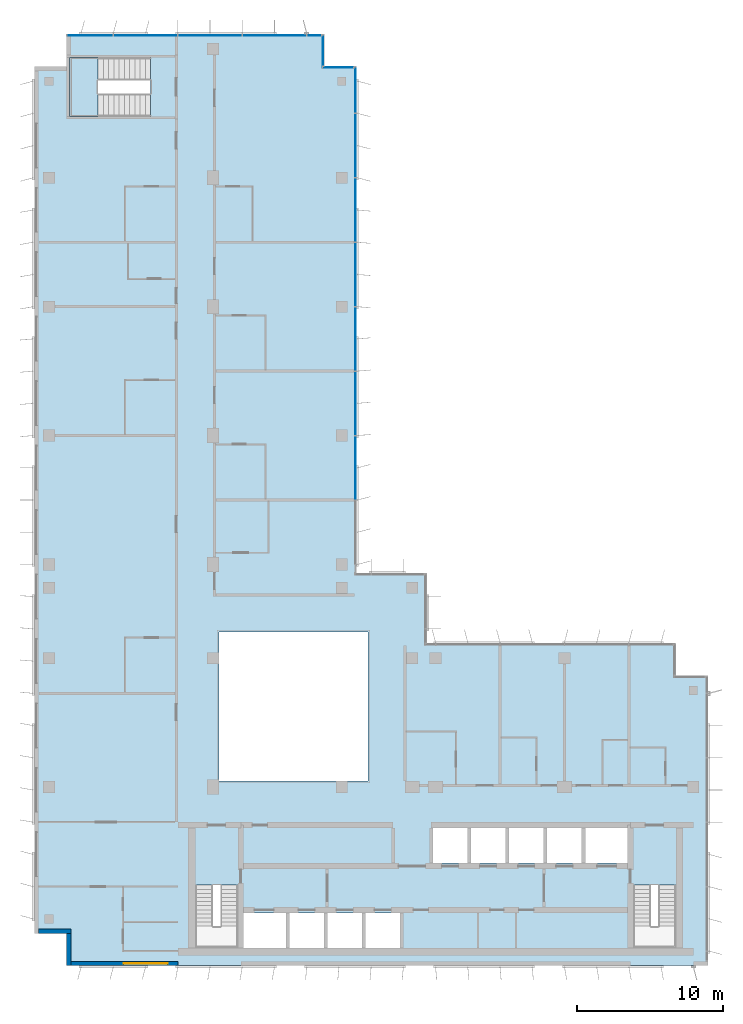
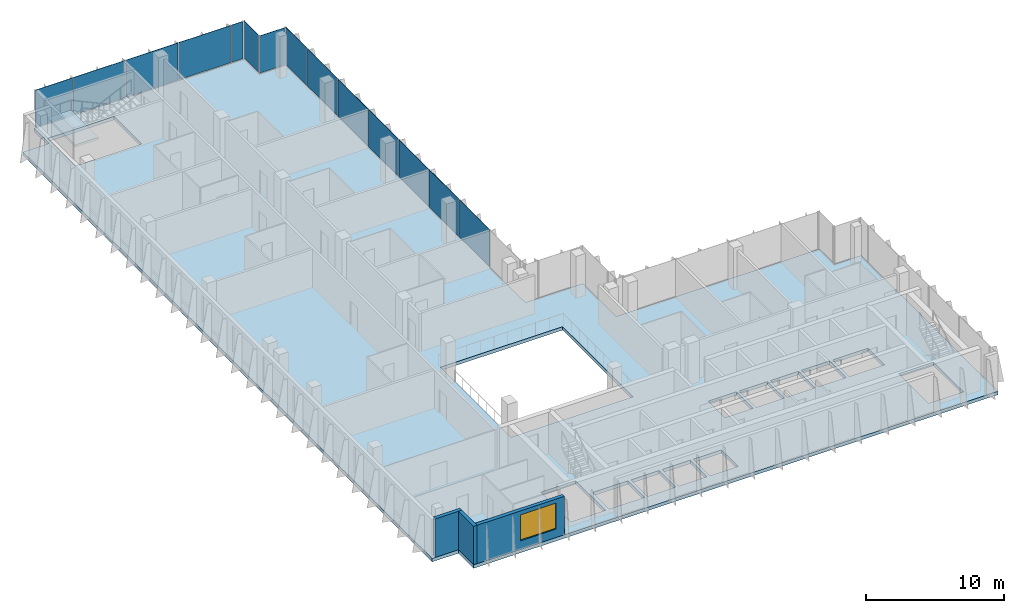
# One storey, part 8 of 15: 14 plates, 3 walls, 2 slabs, 1 window, 1 opening, 5 elements without a shape of their own.
"""IFC4 building model written with IfcOpenShell, lengths in metres."""

from ifc_helpers import new_model, si_unit, direction, frame, frame_2d, origin, origin_2d, place, context, subcontext, project, spatial, polyline, rectangle, outline, extrude, source, transform, mapped, material, layer, layer_set, type_object, element, fill, aggregate, save


model = new_model("IFC4")

# Units and contexts
model_context = context("Model", 3, precision=1e-05, world=origin(), true_north=direction((0.0, 1.0)))
body_context = subcontext(model_context, "Body", "Model", "MODEL_VIEW")
ifc_project = project(units=[si_unit("LENGTHUNIT", "METRE"), si_unit("AREAUNIT", "SQUARE_METRE"), si_unit("VOLUMEUNIT", "CUBIC_METRE"), si_unit("PLANEANGLEUNIT", "RADIAN"), si_unit("MASSUNIT", "GRAM", prefix="KILO")], contexts=[model_context])

# Site, building, storey
site_placement = place(None, origin())
site = spatial("IfcSite", under=ifc_project, at=site_placement, CompositionType="ELEMENT")
building_placement = place(site_placement, origin())
building = spatial("IfcBuilding", under=site, at=building_placement, Name="Kemantara Hotel Tower", CompositionType="ELEMENT")
storey_placement = place(building_placement, frame((0.0, 0.0, 294.39990234375)))
storey = spatial("IfcBuildingStorey", under=building, at=storey_placement, Name="L74", CompositionType="ELEMENT", Elevation=294.39990234375)

# Slab
ifc_material_1 = material(Name="Concrete fc 40 MPa", Category="concrete")
ifc_layer_1 = layer(ifc_material_1, 0.300048828125)
ifc_layer_set_1 = layer_set([ifc_layer_1], Name="Concrete fc 40 MPa")
slab_type_1 = type_object("IfcSlabType", Name="POST-TENSIONED FLAT PLATE 300", PredefinedType="FLOOR", material=ifc_layer_set_1)
slab_1_placement = place(storey_placement, frame((0.0, 0.0, -0.2998046875)))
element("IfcSlab", 1, at=slab_1_placement, inside=storey, type_object=slab_type_1, Name="FLOOR SLAB L74", PredefinedType="FLOOR", context=body_context, shape_type="SweptSolid", body=[
    extrude(outline(polyline([(22.0, 26.800048828125), (22.0, 61.39990234375), (19.800048828125, 61.39990234375), (19.800048828125, 63.60009765625), (2.199951171875, 63.60009765625), (2.199951171875, 61.39990234375), (0.0, 61.39990234375), (0.0, 2.199951171875), (2.199951171875, 2.199951171875), (2.199951171875, 0.0), (46.0, 0.0), (46.0, 19.800048828125), (43.800048828125, 19.800048828125), (43.800048828125, 22.0), (26.800048828125, 22.0), (26.800048828125, 26.800048828125), (22.0, 26.800048828125)]), holes=[polyline([(17.175048828125, 3.60009765625), (17.175048828125, 1.199951171875), (14.22509765625, 1.199951171875), (14.22509765625, 3.60009765625), (17.175048828125, 3.60009765625)]), polyline([(19.77490234375, 1.199951171875), (17.425048828125, 1.199951171875), (17.425048828125, 3.60009765625), (19.77490234375, 3.60009765625), (19.77490234375, 1.199951171875)]), polyline([(22.375, 1.199951171875), (20.02490234375, 1.199951171875), (20.02490234375, 3.60009765625), (22.375, 3.60009765625), (22.375, 1.199951171875)]), polyline([(24.97509765625, 3.60009765625), (24.97509765625, 1.199951171875), (22.625, 1.199951171875), (22.625, 3.60009765625), (24.97509765625, 3.60009765625)]), polyline([(11.0, 1.199951171875), (11.0, 5.49951171875), (13.89990234375, 5.49951171875), (13.89990234375, 1.199951171875), (11.0, 1.199951171875)]), polyline([(22.800048828125, 12.60009765625), (12.60009765625, 12.60009765625), (12.60009765625, 22.800048828125), (22.800048828125, 22.800048828125), (22.800048828125, 12.60009765625)]), polyline([(2.39990234375, 58.0), (2.39990234375, 62.0), (7.949462890625, 62.0), (7.949462890625, 58.0), (2.39990234375, 58.0)]), polyline([(40.89990234375, 1.199951171875), (40.89990234375, 5.49951171875), (43.800048828125, 5.49951171875), (43.800048828125, 1.199951171875), (40.89990234375, 1.199951171875)]), polyline([(29.574951171875, 7.0), (27.22509765625, 7.0), (27.22509765625, 9.39990234375), (29.574951171875, 9.39990234375), (29.574951171875, 7.0)]), polyline([(32.175048828125, 7.0), (29.824951171875, 7.0), (29.824951171875, 9.39990234375), (32.175048828125, 9.39990234375), (32.175048828125, 7.0)]), polyline([(34.77490234375, 7.0), (32.425048828125, 7.0), (32.425048828125, 9.39990234375), (34.77490234375, 9.39990234375), (34.77490234375, 7.0)]), polyline([(37.375, 7.0), (35.02490234375, 7.0), (35.02490234375, 9.39990234375), (37.375, 9.39990234375), (37.375, 7.0)]), polyline([(40.574951171875, 7.0), (37.625, 7.0), (37.625, 9.39990234375), (40.574951171875, 9.39990234375), (40.574951171875, 7.0)])]), origin(), (0.0, 0.0, 1.0), 0.2998046875),
])

# Stair, slab
stair_type = type_object("IfcStairType", Name="Stair 1550 wide 22 risers of 168 x 360 mm", PredefinedType="HALF_TURN_STAIR", material=ifc_material_1)
stair_placement = place(storey_placement, origin())
stair = element("IfcStair", 2, at=stair_placement, inside=storey, type_object=stair_type, Name="L74 Exit stair ST4", PredefinedType="HALF_TURN_STAIR")
ifc_layer_2 = layer(ifc_material_1, 0.199951171875)
ifc_layer_set_2 = layer_set([ifc_layer_2], Name="Concrete fc 40 MPa")
slab_type_2 = type_object("IfcSlabType", Name="Stair landing 200 mm", PredefinedType="LANDING", material=ifc_layer_set_2)
slab_2_placement = place(storey_placement, frame((0.0, 0.0, 1.650146484375)))
slab_2 = element("IfcSlab", 3, at=slab_2_placement, type_object=slab_type_2, Name="ST4 landing 1", PredefinedType="LANDING", context=body_context, shape_type="SweptSolid", body=[
    extrude(outline(polyline([(4.35009765625, 62.0), (2.39990234375, 62.0), (2.39990234375, 58.0), (4.35009765625, 58.0), (4.35009765625, 62.0)])), origin(), (0.0, 0.0, 1.0), 0.199951171875),
])
aggregate(stair, [slab_2])

# Curtain wall, plates
ifc_material_2 = material(Name="Low-E tinted double insulated glass 36 mm", Category="glass")
curtain_wall_type = type_object("IfcCurtainWallType", Name="TOWER CURTAIN WALL, FRONT FACES", PredefinedType="USERDEFINED", material=ifc_material_2)
curtain_wall_1_placement = place(storey_placement, origin())
curtain_wall_1 = element("IfcCurtainWall", 4, at=curtain_wall_1_placement, inside=storey, type_object=curtain_wall_type, Name="CW4 L74 T4-R02-1", ObjectType="TOWER CURTAIN WALL, FRONT FACES", PredefinedType="USERDEFINED")
ifc_layer_3 = layer(ifc_material_2, 0.035888671875)
ifc_layer_set_3 = layer_set([ifc_layer_3], Name="Low-E tinted double insulated glass 36 mm")
plate_type = type_object("IfcPlateType", Name="TOWER CURTAIN WALL, FRONT FACES PANEL", PredefinedType="CURTAIN_PANEL", material=ifc_layer_set_3)
shared_shape_1 = source(origin(), body_context, "Body", "SweptSolid", [
    extrude(rectangle(XDim=4.340087890625, YDim=0.035888671875, at=origin_2d()), origin(), (0.0, 0.0, 1.0), 3.280029296875),
])
plate_1_placement = place(storey_placement, frame((16.39990234375, 63.52490234375, 0.1201171875), z_axis=(0.0, 0.0, 1.0), x_axis=(-1.0, 0.0, 0.0)))
plate_1 = element("IfcPlate", 5, at=plate_1_placement, type_object=plate_type, Name="CW4 glass panel T4-R02-1.2", PredefinedType="CURTAIN_PANEL", context=body_context, shape_type="MappedRepresentation", body=[
    mapped(shared_shape_1, transform((0.0, 0.0, 0.0))),
])
plate_2_placement = place(storey_placement, frame((12.0, 63.52490234375, 0.1201171875), z_axis=(0.0, 0.0, 1.0), x_axis=(-1.0, 0.0, 0.0)))
plate_2 = element("IfcPlate", 6, at=plate_2_placement, type_object=plate_type, Name="CW4 glass panel T4-R02-1.3", PredefinedType="CURTAIN_PANEL", context=body_context, shape_type="MappedRepresentation", body=[
    mapped(shared_shape_1, transform((0.0, 0.0, 0.0))),
])
plate_3_placement = place(storey_placement, frame((7.60009765625, 63.52490234375, 0.1201171875), z_axis=(0.0, 0.0, 1.0), x_axis=(-1.0, 0.0, 0.0)))
plate_3 = element("IfcPlate", 7, at=plate_3_placement, type_object=plate_type, Name="CW4 glass panel T4-R02-1.4", PredefinedType="CURTAIN_PANEL", context=body_context, shape_type="MappedRepresentation", body=[
    mapped(shared_shape_1, transform((0.0, 0.0, 0.0))),
])

curtain_wall_2_placement = place(storey_placement, origin())
curtain_wall_2 = element("IfcCurtainWall", 8, at=curtain_wall_2_placement, inside=storey, type_object=curtain_wall_type, Name="CW4 L74 T4-R15-1", ObjectType="TOWER CURTAIN WALL, FRONT FACES", PredefinedType="USERDEFINED")
plate_4_placement = place(storey_placement, frame((21.925048828125, 34.0, 0.1201171875), z_axis=(0.0, 0.0, 1.0), x_axis=(0.0, 1.0, 0.0)))
plate_4 = element("IfcPlate", 9, at=plate_4_placement, type_object=plate_type, Name="CW4 glass panel T4-R15-1.3", PredefinedType="CURTAIN_PANEL", context=body_context, shape_type="MappedRepresentation", body=[
    mapped(shared_shape_1, transform((0.0, 0.0, 0.0))),
])
plate_5_placement = place(storey_placement, frame((21.925048828125, 38.39990234375, 0.1201171875), z_axis=(0.0, 0.0, 1.0), x_axis=(0.0, 1.0, 0.0)))
plate_5 = element("IfcPlate", 10, at=plate_5_placement, type_object=plate_type, Name="CW4 glass panel T4-R15-1.4", PredefinedType="CURTAIN_PANEL", context=body_context, shape_type="MappedRepresentation", body=[
    mapped(shared_shape_1, transform((0.0, 0.0, 0.0))),
])
plate_6_placement = place(storey_placement, frame((21.925048828125, 42.800048828125, 0.1201171875), z_axis=(0.0, 0.0, 1.0), x_axis=(0.0, 1.0, 0.0)))
plate_6 = element("IfcPlate", 11, at=plate_6_placement, type_object=plate_type, Name="CW4 glass panel T4-R15-1.5", PredefinedType="CURTAIN_PANEL", context=body_context, shape_type="MappedRepresentation", body=[
    mapped(shared_shape_1, transform((0.0, 0.0, 0.0))),
])
plate_7_placement = place(storey_placement, frame((21.925048828125, 47.199951171875, 0.1201171875), z_axis=(0.0, 0.0, 1.0), x_axis=(0.0, 1.0, 0.0)))
plate_7 = element("IfcPlate", 12, at=plate_7_placement, type_object=plate_type, Name="CW4 glass panel T4-R15-1.6", PredefinedType="CURTAIN_PANEL", context=body_context, shape_type="MappedRepresentation", body=[
    mapped(shared_shape_1, transform((0.0, 0.0, 0.0))),
])
plate_8_placement = place(storey_placement, frame((21.925048828125, 51.60009765625, 0.1201171875), z_axis=(0.0, 0.0, 1.0), x_axis=(0.0, 1.0, 0.0)))
plate_8 = element("IfcPlate", 13, at=plate_8_placement, type_object=plate_type, Name="CW4 glass panel T4-R15-1.7", PredefinedType="CURTAIN_PANEL", context=body_context, shape_type="MappedRepresentation", body=[
    mapped(shared_shape_1, transform((0.0, 0.0, 0.0))),
])
plate_9_placement = place(storey_placement, frame((21.925048828125, 56.0, 0.1201171875), z_axis=(0.0, 0.0, 1.0), x_axis=(0.0, 1.0, 0.0)))
plate_9 = element("IfcPlate", 14, at=plate_9_placement, type_object=plate_type, Name="CW4 glass panel T4-R15-1.8", PredefinedType="CURTAIN_PANEL", context=body_context, shape_type="MappedRepresentation", body=[
    mapped(shared_shape_1, transform((0.0, 0.0, 0.0))),
])

# Plate
shared_shape_2 = source(origin(), body_context, "Body", "SweptSolid", [
    extrude(rectangle(XDim=3.110107421875, YDim=0.035888671875, at=origin_2d()), origin(), (0.0, 0.0, 1.0), 3.280029296875),
])
plate_10_placement = place(storey_placement, frame((3.81494140625, 63.52490234375, 0.1201171875), z_axis=(0.0, 0.0, 1.0), x_axis=(-1.0, 0.0, 0.0)))
plate_10 = element("IfcPlate", 15, at=plate_10_placement, type_object=plate_type, Name="CW4 glass panel T4-R02-1.5", PredefinedType="CURTAIN_PANEL", context=body_context, shape_type="MappedRepresentation", body=[
    mapped(shared_shape_2, transform((0.0, 0.0, 0.0))),
])

plate_11_placement = place(storey_placement, frame((21.925048828125, 59.784912109375, 0.1201171875), z_axis=(0.0, 0.0, 1.0), x_axis=(0.0, 1.0, 0.0)))
plate_11 = element("IfcPlate", 16, at=plate_11_placement, type_object=plate_type, Name="CW4 glass panel T4-R15-1.9", PredefinedType="CURTAIN_PANEL", context=body_context, shape_type="MappedRepresentation", body=[
    mapped(shared_shape_2, transform((0.0, 0.0, 0.0))),
])

aggregate(curtain_wall_2, [plate_4, plate_5, plate_6, plate_7, plate_8, plate_9, plate_11])

# Curtain wall, plate
curtain_wall_3_placement = place(storey_placement, origin())
curtain_wall_3 = element("IfcCurtainWall", 17, at=curtain_wall_3_placement, inside=storey, type_object=curtain_wall_type, Name="CW4 L74 T4-R00-1", ObjectType="TOWER CURTAIN WALL, FRONT FACES", PredefinedType="USERDEFINED")
shared_shape_3 = source(origin(), body_context, "Body", "SweptSolid", [
    extrude(rectangle(XDim=2.080078125, YDim=0.035888671875, at=origin_2d()), origin(), (0.0, 0.0, 1.0), 3.280029296875),
])
plate_12_placement = place(storey_placement, frame((20.75, 61.324951171875, 0.1201171875), z_axis=(0.0, 0.0, 1.0), x_axis=(-1.0, 0.0, 0.0)))
plate_12 = element("IfcPlate", 18, at=plate_12_placement, type_object=plate_type, Name="CW4 glass panel T4-R00-1.1", PredefinedType="CURTAIN_PANEL", context=body_context, shape_type="MappedRepresentation", body=[
    mapped(shared_shape_3, transform((0.0, 0.0, 0.0))),
])
aggregate(curtain_wall_3, [plate_12])

curtain_wall_4_placement = place(storey_placement, origin())
curtain_wall_4 = element("IfcCurtainWall", 19, at=curtain_wall_4_placement, inside=storey, type_object=curtain_wall_type, Name="CW4 L74 T4-R01-1", ObjectType="TOWER CURTAIN WALL, FRONT FACES", PredefinedType="USERDEFINED")
plate_13_placement = place(storey_placement, frame((19.72509765625, 62.5, 0.1201171875), z_axis=(0.0, 0.0, 1.0), x_axis=(0.0, 1.0, 0.0)))
plate_13 = element("IfcPlate", 20, at=plate_13_placement, type_object=plate_type, Name="CW4 glass panel T4-R01-1.1", PredefinedType="CURTAIN_PANEL", context=body_context, shape_type="MappedRepresentation", body=[
    mapped(shared_shape_3, transform((0.0, 0.0, 0.0))),
])
aggregate(curtain_wall_4, [plate_13])

# Plate
shared_shape_4 = source(origin(), body_context, "Body", "SweptSolid", [
    extrude(rectangle(XDim=0.9599609375, YDim=0.035888671875, at=origin_2d()), origin(), (0.0, 0.0, 1.0), 3.280029296875),
])
plate_14_placement = place(storey_placement, frame((19.110107421875, 63.52490234375, 0.1201171875), z_axis=(0.0, 0.0, 1.0), x_axis=(-1.0, 0.0, 0.0)))
plate_14 = element("IfcPlate", 21, at=plate_14_placement, type_object=plate_type, Name="CW4 glass panel T4-R02-1.1", PredefinedType="CURTAIN_PANEL", context=body_context, shape_type="MappedRepresentation", body=[
    mapped(shared_shape_4, transform((0.0, 0.0, 0.0))),
])

aggregate(curtain_wall_1, [plate_14, plate_1, plate_2, plate_3, plate_10])

# Walls
ifc_material_3 = material(Name="Bronze anodised aluminium cladding on insulated steel stud wall", Category="steel")
ifc_layer_4 = layer(ifc_material_3, 0.300048828125)
ifc_layer_set_4 = layer_set([ifc_layer_4], Name="Bronze anodised aluminium cladding on insulated steel stud wall")
wall_type = type_object("IfcWallType", Name="BRONZE METAL-CLAD EXTERNAL WALL 300", PredefinedType="STANDARD", material=ifc_layer_set_4)
for number, where, z_axis, x_axis, name in (
    (22, (0.300048828125, 2.35009765625, 0.0), (0.0, 0.0, 1.0), (1.0, 0.0, 0.0), "EXTERNAL WALL L74 T4-R06"),
    (23, (2.35009765625, 2.199951171875, 0.0), (0.0, 0.0, 1.0), (0.0, -1.0, 0.0), "EXTERNAL WALL L74 T4-R07"),
):
    element("IfcWall", number, at=place(storey_placement, frame(where, z_axis=z_axis, x_axis=x_axis)), inside=storey, type_object=wall_type, Name=name, PredefinedType="STANDARD", context=body_context, shape_type="SweptSolid", body=[
        extrude(rectangle(XDim=2.199951171875, YDim=0.300048828125, at=frame_2d((1.10009765625, 0.0))), origin(), (0.0, 0.0, 1.0), 3.400146484375),
    ])

# Wall, opening, window
wall_placement = place(storey_placement, frame((2.5, 0.14990234375, 0.0), z_axis=(0.0, 0.0, 1.0), x_axis=(1.0, 0.0, 0.0)))
wall = element("IfcWall", 24, at=wall_placement, inside=storey, type_object=wall_type, Name="EXTERNAL WALL L74 T4-R08", PredefinedType="STANDARD", context=body_context, shape_type="SweptSolid", body=[
    extrude(rectangle(XDim=7.300048828125, YDim=0.300048828125, at=frame_2d((3.64990234375, 0.0))), origin(), (0.0, 0.0, 1.0), 3.400146484375),
])
opening_placement = place(wall_placement, frame((3.60009765625, 0.0, 0.75)))
opening = element("IfcOpeningElement", 25, at=opening_placement, cuts=wall, Name="Opening W1", PredefinedType="OPENING", context=body_context, shape_type="SweptSolid", body=[
    extrude(rectangle(XDim=3.0, YDim=2.300048828125, at=frame_2d((1.5, 1.14990234375))), frame((0.0, 0.159912109375, 0.0), z_axis=(0.0, -1.0, 0.0), x_axis=(1.0, 0.0, 0.0)), (0.0, 0.0, 1.0), 0.320068359375),
])
ifc_material_4 = material(Name="Low-E tinted double insulated glass in bronze anodised aluminium frame", Category="aluminium")
window_type = type_object("IfcWindowType", Name="CHICAGO WINDOW, TRIPLE PANEL 3000x2300", PartitioningType="TRIPLE_PANEL_VERTICAL", PredefinedType="WINDOW", material=ifc_material_4)
window_placement = place(opening_placement, origin())
window = element("IfcWindow", 26, at=window_placement, inside=storey, type_object=window_type, Name="CHICAGO WINDOW L74 T4-R08-54", OverallHeight=2.300048828125, OverallWidth=3.0, PartitioningType="SINGLE_PANEL", PredefinedType="WINDOW", context=body_context, shape_type="SweptSolid", body=[
    extrude(rectangle(XDim=3.0, YDim=2.300048828125, at=frame_2d((1.5, 1.14990234375))), frame((0.0, 0.030029296875, 0.0), z_axis=(0.0, -1.0, 0.0), x_axis=(1.0, 0.0, 0.0)), (0.0, 0.0, 1.0), 0.06005859375),
])
fill(opening, window)

save(model, "model.ifc")
